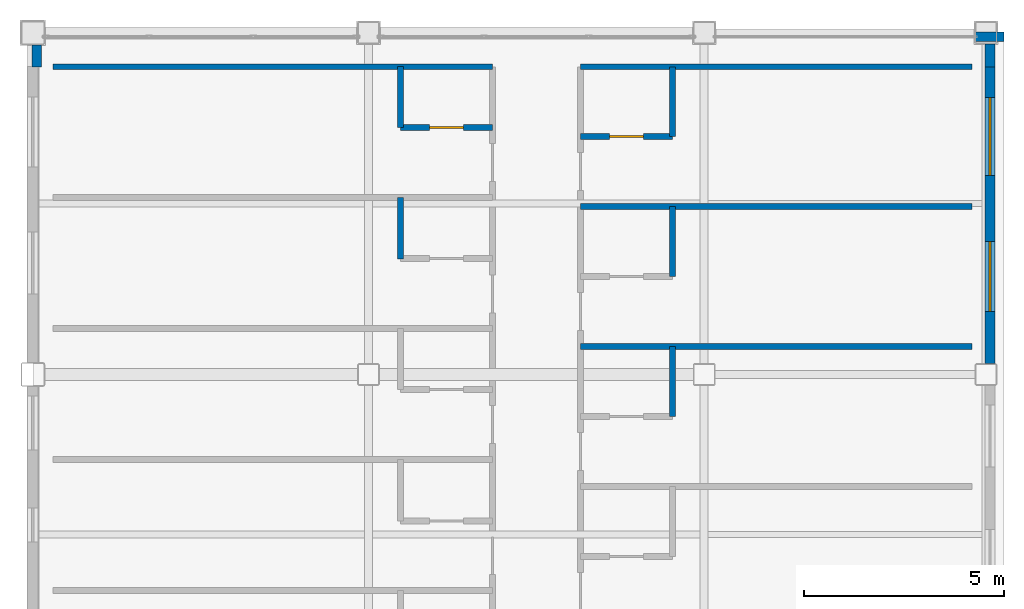
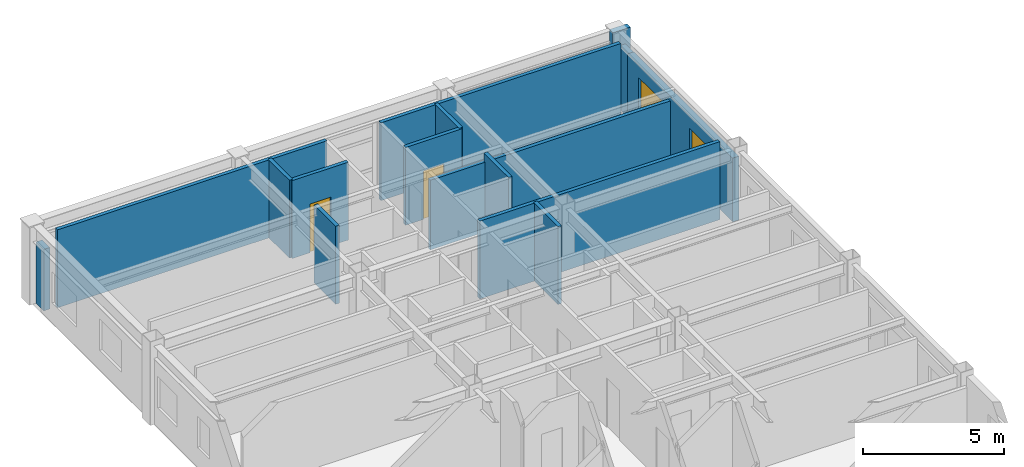
# One storey, part 33 of 36: 15 walls, 2 doors, 2 windows, 4 openings.
"""IFC4 building model written with IfcOpenShell, lengths in metres."""

from ifc_helpers import new_model, si_unit, direction, frame, frame_2d, origin, place, context, subcontext, project, spatial, rectangle, extrude, material, layer, layer_set, type_object, element, fill, save


model = new_model("IFC4")

# Units and contexts
model_context = context("Model", 3, precision=1e-05, world=origin(), true_north=direction((0.0, 1.0)))
body_context = subcontext(model_context, "Body", "Model", "MODEL_VIEW")
ifc_project = project(units=[si_unit("LENGTHUNIT", "METRE"), si_unit("AREAUNIT", "SQUARE_METRE"), si_unit("VOLUMEUNIT", "CUBIC_METRE"), si_unit("PLANEANGLEUNIT", "RADIAN"), si_unit("MASSUNIT", "GRAM", prefix="KILO")], contexts=[model_context])

# Site, building, storey
site_placement = place(None, origin())
site = spatial("IfcSite", under=ifc_project, at=site_placement, CompositionType="ELEMENT")
building_placement = place(site_placement, origin())
building = spatial("IfcBuilding", under=site, at=building_placement, Name="Kazehara Bluff Congress Hotel", CompositionType="ELEMENT")
storey_placement = place(building_placement, frame((0.0, 0.0, 28.199951171875)))
storey = spatial("IfcBuildingStorey", under=building, at=storey_placement, Name="L06", CompositionType="ELEMENT", Elevation=28.199951171875)

# Walls
ifc_material_1 = material(Name="Precast concrete C40/50", Category="concrete")
ifc_layer_1 = layer(ifc_material_1, 0.239990234375)
ifc_layer_set_1 = layer_set([ifc_layer_1], Name="Precast concrete C40/50")
wall_type_1 = type_object("IfcWallType", Name="TP-EW-240", PredefinedType="SOLIDWALL", material=ifc_layer_set_1)
wall_1_placement = place(storey_placement, frame((167.64990234375, 105.175048828125, 0.0), z_axis=(0.0, 0.0, 1.0), x_axis=(0.0, -1.0, 0.0)))
element("IfcWall", 1, at=wall_1_placement, inside=storey, type_object=wall_type_1, Name="L06 V5 perimeter spandrel pier 740", PredefinedType="SOLIDWALL", context=body_context, shape_type="SweptSolid", body=[
    extrude(rectangle(XDim=0.574951171875, YDim=0.239990234375, at=frame_2d((0.28759765625, 0.0))), origin(), (0.0, 0.0, 1.0), 2.755126953125),
])
wall_2_placement = place(storey_placement, frame((167.27490234375, 105.35009765625, 0.0), z_axis=(0.0, 0.0, 1.0), x_axis=(1.0, 0.0, 0.0)))
element("IfcWall", 2, at=wall_2_placement, inside=storey, type_object=wall_type_1, Name="L06 V5 perimeter spandrel pier 741", PredefinedType="SOLIDWALL", context=body_context, shape_type="SweptSolid", body=[
    extrude(rectangle(XDim=0.72509765625, YDim=0.239990234375, at=frame_2d((0.362548828125, 0.0))), origin(), (0.0, 0.0, 1.0), 3.364990234375),
])
wall_3_placement = place(storey_placement, frame((143.800048828125, 104.60009765625, 0.0), z_axis=(0.0, 0.0, 1.0), x_axis=(0.0, 1.0, 0.0)))
element("IfcWall", 3, at=wall_3_placement, inside=storey, type_object=wall_type_1, Name="L06 V5 perimeter spandrel pier 743", PredefinedType="SOLIDWALL", context=body_context, shape_type="SweptSolid", body=[
    extrude(rectangle(XDim=0.5498046875, YDim=0.239990234375, at=frame_2d((0.27490234375, 0.0))), origin(), (0.0, 0.0, 1.0), 2.655029296875),
])

# Wall, openings, windows
ifc_material_2 = material(Name="Precast concrete C40/50", Category="concrete")
ifc_layer_2 = layer(ifc_material_2, 0.260009765625)
ifc_layer_set_2 = layer_set([ifc_layer_2], Name="Precast concrete C40/50")
wall_type_2 = type_object("IfcWallType", Name="TP-EW-260", PredefinedType="SOLIDWALL", material=ifc_layer_set_2)
wall_4_placement = place(storey_placement, frame((167.64990234375, 104.60009765625, 0.0), z_axis=(0.0, 0.0, 1.0), x_axis=(0.0, -1.0, 0.0)))
wall_4 = element("IfcWall", 4, at=wall_4_placement, inside=storey, type_object=wall_type_2, Name="L06 hotel facade panel 78", PredefinedType="SOLIDWALL", context=body_context, shape_type="SweptSolid", body=[
    extrude(rectangle(XDim=7.425048828125, YDim=0.260009765625, at=frame_2d((3.71240234375, 0.0))), origin(), (0.0, 0.0, 1.0), 2.755126953125),
])
opening_1_placement = place(wall_4_placement, frame((4.375, 0.0, 0.85009765625)))
opening_1 = element("IfcOpeningElement", 5, at=opening_1_placement, cuts=wall_4, Name="Opening WN-31", PredefinedType="OPENING", context=body_context, shape_type="SweptSolid", body=[
    extrude(rectangle(XDim=1.75, YDim=1.35009765625, at=frame_2d((0.875, 0.675048828125))), frame((0.0, 0.139892578125, 0.0), z_axis=(0.0, -1.0, 0.0), x_axis=(1.0, 0.0, 0.0)), (0.0, 0.0, 1.0), 0.280029296875),
])
opening_2_placement = place(wall_4_placement, frame((0.77490234375, 0.0, 0.85009765625)))
opening_2 = element("IfcOpeningElement", 6, at=opening_2_placement, cuts=wall_4, Name="Opening WN-41", PredefinedType="OPENING", context=body_context, shape_type="SweptSolid", body=[
    extrude(rectangle(XDim=1.949951171875, YDim=1.35009765625, at=frame_2d((0.97509765625, 0.675048828125))), frame((0.0, 0.139892578125, 0.0), z_axis=(0.0, -1.0, 0.0), x_axis=(1.0, 0.0, 0.0)), (0.0, 0.0, 1.0), 0.280029296875),
])
ifc_material_3 = material(Name="Insulated low-E double glazing", Category="glass")
window_type_1 = type_object("IfcWindowType", Name="TP-WN-31", PartitioningType="SINGLE_PANEL", PredefinedType="WINDOW", material=ifc_material_3)
window_1_placement = place(opening_1_placement, origin())
window_1 = element("IfcWindow", 7, at=window_1_placement, inside=storey, type_object=window_type_1, Name="L06 guestroom window WN-31 145", OverallHeight=1.35009765625, OverallWidth=1.75, PartitioningType="SINGLE_PANEL", PredefinedType="WINDOW", context=body_context, shape_type="SweptSolid", body=[
    extrude(rectangle(XDim=1.75, YDim=1.35009765625, at=frame_2d((0.875, 0.675048828125))), frame((0.0, 0.030029296875, 0.0), z_axis=(0.0, -1.0, 0.0), x_axis=(1.0, 0.0, 0.0)), (0.0, 0.0, 1.0), 0.06005859375),
])
fill(opening_1, window_1)
ifc_material_4 = material(Name="Insulated low-E double glazing", Category="glass")
window_type_2 = type_object("IfcWindowType", Name="TP-WN-41", PartitioningType="DOUBLE_PANEL_VERTICAL", PredefinedType="WINDOW", material=ifc_material_4)
window_2_placement = place(opening_2_placement, origin())
window_2 = element("IfcWindow", 8, at=window_2_placement, inside=storey, type_object=window_type_2, Name="L06 guestroom window WN-41 146", OverallHeight=1.35009765625, OverallWidth=1.949951171875, PartitioningType="SINGLE_PANEL", PredefinedType="WINDOW", context=body_context, shape_type="SweptSolid", body=[
    extrude(rectangle(XDim=1.949951171875, YDim=1.35009765625, at=frame_2d((0.97509765625, 0.675048828125))), frame((0.0, 0.030029296875, 0.0), z_axis=(0.0, -1.0, 0.0), x_axis=(1.0, 0.0, 0.0)), (0.0, 0.0, 1.0), 0.06005859375),
])
fill(opening_2, window_2)

# Walls
ifc_material_5 = material(Name="Fire-rated gypsum board stud partition")
ifc_layer_3 = layer(ifc_material_5, 0.14990234375)
ifc_layer_set_3 = layer_set([ifc_layer_3], Name="Fire-rated gypsum board stud partition")
wall_type_3 = type_object("IfcWallType", Name="TP-PT-150", PredefinedType="PARTITIONING", material=ifc_layer_set_3)
wall_5_placement = place(storey_placement, frame((157.39990234375, 97.60009765625, 0.0), z_axis=(0.0, 0.0, 1.0), x_axis=(1.0, 0.0, 0.0)))
element("IfcWall", 9, at=wall_5_placement, inside=storey, type_object=wall_type_3, Name="L06 partition PT-150 789", PredefinedType="PARTITIONING", context=body_context, shape_type="SweptSolid", body=[
    extrude(rectangle(XDim=9.800048828125, YDim=0.14990234375, at=frame_2d((4.89990234375, 0.0))), origin(), (0.0, 0.0, 1.0), 3.364990234375),
])
wall_6_placement = place(storey_placement, frame((157.39990234375, 101.10009765625, 0.0), z_axis=(0.0, 0.0, 1.0), x_axis=(1.0, 0.0, 0.0)))
element("IfcWall", 10, at=wall_6_placement, inside=storey, type_object=wall_type_3, Name="L06 partition PT-150 793", PredefinedType="PARTITIONING", context=body_context, shape_type="SweptSolid", body=[
    extrude(rectangle(XDim=9.800048828125, YDim=0.14990234375, at=frame_2d((4.89990234375, 0.0))), origin(), (0.0, 0.0, 1.0), 3.005126953125),
])

# Wall, opening, door
wall_7_placement = place(storey_placement, frame((157.39990234375, 102.85009765625, 0.0), z_axis=(0.0, 0.0, 1.0), x_axis=(1.0, 0.0, 0.0)))
wall_7 = element("IfcWall", 11, at=wall_7_placement, inside=storey, type_object=wall_type_3, Name="L06 partition PT-150 795", PredefinedType="PARTITIONING", context=body_context, shape_type="SweptSolid", body=[
    extrude(rectangle(XDim=2.300048828125, YDim=0.14990234375, at=frame_2d((1.14990234375, 0.0))), origin(), (0.0, 0.0, 1.0), 3.364990234375),
])
opening_3_placement = place(wall_7_placement, frame((0.72509765625, 0.0, 0.0)))
opening_3 = element("IfcOpeningElement", 12, at=opening_3_placement, cuts=wall_7, Name="Opening BD-01", PredefinedType="OPENING", context=body_context, shape_type="SweptSolid", body=[
    extrude(rectangle(XDim=0.85009765625, YDim=2.10009765625, at=frame_2d((0.425048828125, 1.050048828125))), frame((0.0, 0.0849609375, 0.0), z_axis=(0.0, -1.0, 0.0), x_axis=(1.0, 0.0, 0.0)), (0.0, 0.0, 1.0), 0.169921875),
])
ifc_material_6 = material(Name="Architectural oak veneer leaf")
door_type = type_object("IfcDoorType", Name="TP-BD-01", OperationType="NOTDEFINED", PredefinedType="DOOR", material=ifc_material_6)
door_1_placement = place(opening_3_placement, origin())
door_1 = element("IfcDoor", 13, at=door_1_placement, inside=storey, type_object=door_type, Name="L06 En-suite Bathroom 166 door", OperationType="SINGLE_SWING_LEFT", OverallHeight=2.10009765625, OverallWidth=0.85009765625, PredefinedType="DOOR", context=body_context, shape_type="SweptSolid", body=[
    extrude(rectangle(XDim=0.85009765625, YDim=2.10009765625, at=frame_2d((0.425048828125, 1.050048828125))), frame((0.0, 0.02490234375, 0.0), z_axis=(0.0, -1.0, 0.0), x_axis=(1.0, 0.0, 0.0)), (0.0, 0.0, 1.0), 0.050048828125),
])
fill(opening_3, door_1)

wall_8_placement = place(storey_placement, frame((152.89990234375, 103.080078125, 0.0), z_axis=(0.0, 0.0, 1.0), x_axis=(1.0, 0.0, 0.0)))
wall_8 = element("IfcWall", 14, at=wall_8_placement, inside=storey, type_object=wall_type_3, Name="L06 partition PT-150 796", PredefinedType="PARTITIONING", context=body_context, shape_type="SweptSolid", body=[
    extrude(rectangle(XDim=2.300048828125, YDim=0.14990234375, at=frame_2d((1.14990234375, 0.0))), origin(), (0.0, 0.0, 1.0), 3.364990234375),
])
opening_4_placement = place(wall_8_placement, frame((0.72509765625, 0.0, 0.0)))
opening_4 = element("IfcOpeningElement", 15, at=opening_4_placement, cuts=wall_8, Name="Opening BD-01", PredefinedType="OPENING", context=body_context, shape_type="SweptSolid", body=[
    extrude(rectangle(XDim=0.85009765625, YDim=2.10009765625, at=frame_2d((0.425048828125, 1.050048828125))), frame((0.0, 0.0849609375, 0.0), z_axis=(0.0, -1.0, 0.0), x_axis=(1.0, 0.0, 0.0)), (0.0, 0.0, 1.0), 0.169921875),
])
door_2_placement = place(opening_4_placement, origin())
door_2 = element("IfcDoor", 16, at=door_2_placement, inside=storey, type_object=door_type, Name="L06 En-suite Bathroom 138 door", OperationType="SINGLE_SWING_LEFT", OverallHeight=2.10009765625, OverallWidth=0.85009765625, PredefinedType="DOOR", context=body_context, shape_type="SweptSolid", body=[
    extrude(rectangle(XDim=0.85009765625, YDim=2.10009765625, at=frame_2d((0.425048828125, 1.050048828125))), frame((0.0, 0.02490234375, 0.0), z_axis=(0.0, -1.0, 0.0), x_axis=(1.0, 0.0, 0.0)), (0.0, 0.0, 1.0), 0.050048828125),
])
fill(opening_4, door_2)

# Walls
wall_9_placement = place(storey_placement, frame((144.199951171875, 104.60009765625, 0.0), z_axis=(0.0, 0.0, 1.0), x_axis=(1.0, 0.0, 0.0)))
element("IfcWall", 17, at=wall_9_placement, inside=storey, type_object=wall_type_3, Name="L06 partition PT-150 797", PredefinedType="PARTITIONING", context=body_context, shape_type="SweptSolid", body=[
    extrude(rectangle(XDim=11.0, YDim=0.14990234375, at=frame_2d((5.5, 0.0))), origin(), (0.0, 0.0, 1.0), 3.364990234375),
])
wall_10_placement = place(storey_placement, frame((157.39990234375, 104.60009765625, 0.0), z_axis=(0.0, 0.0, 1.0), x_axis=(1.0, 0.0, 0.0)))
element("IfcWall", 18, at=wall_10_placement, inside=storey, type_object=wall_type_3, Name="L06 partition PT-150 798", PredefinedType="PARTITIONING", context=body_context, shape_type="SweptSolid", body=[
    extrude(rectangle(XDim=9.800048828125, YDim=0.14990234375, at=frame_2d((4.89990234375, 0.0))), origin(), (0.0, 0.0, 1.0), 3.364990234375),
])
wall_11_placement = place(storey_placement, frame((152.89990234375, 99.794921875, 0.0), z_axis=(0.0, 0.0, 1.0), x_axis=(0.0, 1.0, 0.0)))
element("IfcWall", 19, at=wall_11_placement, inside=storey, type_object=wall_type_3, Name="L06 partition PT-150 819", PredefinedType="PARTITIONING", context=body_context, shape_type="SweptSolid", body=[
    extrude(rectangle(XDim=1.530029296875, YDim=0.14990234375, at=frame_2d((0.76513671875, 0.0))), origin(), (0.0, 0.0, 1.0), 3.364990234375),
])
wall_12_placement = place(storey_placement, frame((152.89990234375, 103.074951171875, 0.0), z_axis=(0.0, 0.0, 1.0), x_axis=(0.0, 1.0, 0.0)))
element("IfcWall", 20, at=wall_12_placement, inside=storey, type_object=wall_type_3, Name="L06 partition PT-150 820", PredefinedType="PARTITIONING", context=body_context, shape_type="SweptSolid", body=[
    extrude(rectangle(XDim=1.525146484375, YDim=0.14990234375, at=frame_2d((0.7626953125, 0.0))), origin(), (0.0, 0.0, 1.0), 3.364990234375),
])
for number, where, z_axis, x_axis, name in (
    (21, (159.699951171875, 95.85009765625, 0.0), (0.0, 0.0, 1.0), (0.0, 1.0, 0.0), "L06 partition PT-150 856"),
    (22, (159.699951171875, 99.35009765625, 0.0), (0.0, 0.0, 1.0), (0.0, 1.0, 0.0), "L06 partition PT-150 857"),
    (23, (159.699951171875, 102.85009765625, 0.0), (0.0, 0.0, 1.0), (0.0, 1.0, 0.0), "L06 partition PT-150 858"),
):
    element("IfcWall", number, at=place(storey_placement, frame(where, z_axis=z_axis, x_axis=x_axis)), inside=storey, type_object=wall_type_3, Name=name, PredefinedType="PARTITIONING", context=body_context, shape_type="SweptSolid", body=[
        extrude(rectangle(XDim=1.75, YDim=0.14990234375, at=frame_2d((0.875, 0.0))), origin(), (0.0, 0.0, 1.0), 3.364990234375),
    ])

save(model, "model.ifc")
